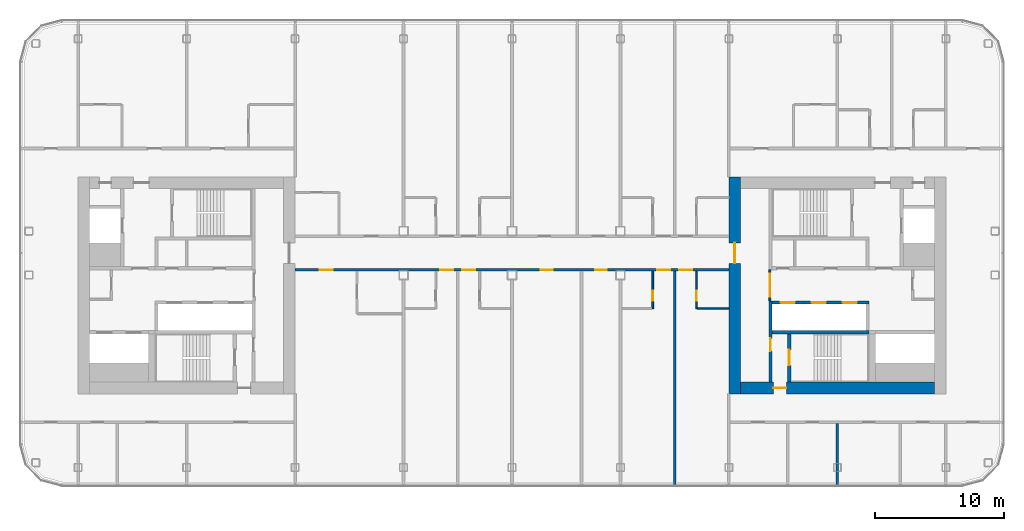
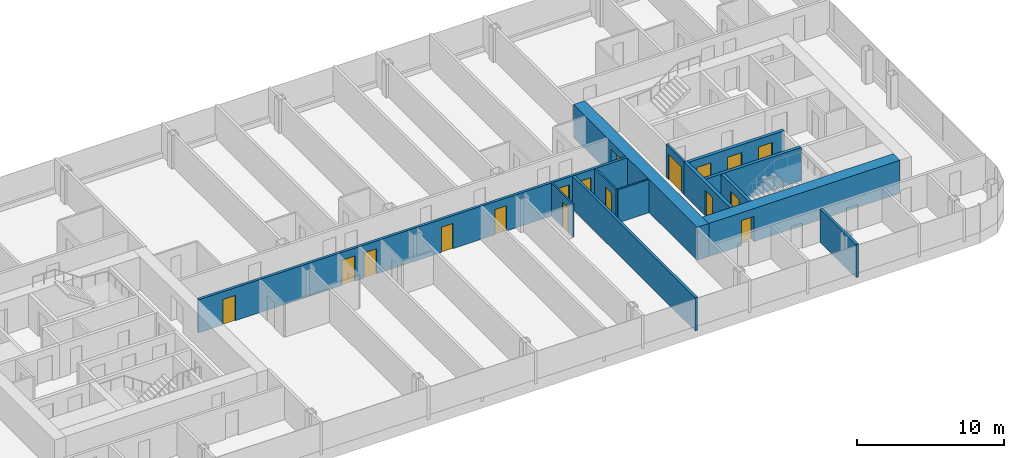
# One storey, part 15 of 26: 17 doors, 13 walls, 17 openings.
"""IFC4 building model written with IfcOpenShell, lengths in metres."""

import ifcopenshell
import ifcopenshell.guid

model = None  # the IFC model being written
_history = None  # IfcOwnerHistory: only IFC2X3 demands one
_inside = {}  # id of a spatial element -> (the spatial element, [elements in it])
_under = {}  # id of a project, library or spatial element -> (it, [spatial elements below it])
_declared = {}  # id of a project -> (the project, [libraries it declares])
_typed = {}  # id of a type object -> (the type object, [elements of that type])
_made_of = {}  # id of a material, layer set ... -> (it, [elements and type objects made of it])


def new_model(schema):
    """Start an empty IFC model of exactly this schema.

    Asked for "IFC4X3", IfcOpenShell would pick the latest addendum, in which some entities
    have other attributes; the version numbers below select the first issue.
    IFC2X3 requires an IfcOwnerHistory on every rooted entity: one is made here for all.
    """
    global model, _history
    if schema == "IFC4X3":
        model = ifcopenshell.file(schema_version=(4, 3, 0, 0))
    else:
        model = ifcopenshell.file(schema=schema)
    _inside.clear()
    _under.clear()
    _declared.clear()
    _typed.clear()
    _made_of.clear()
    _history = None
    if model.schema == "IFC2X3":
        org = make("IfcOrganization", Name="unknown")
        user = make(
            "IfcPersonAndOrganization",
            ThePerson=make("IfcPerson", FamilyName="unknown"),
            TheOrganization=org,
        )
        app = make(
            "IfcApplication",
            ApplicationDeveloper=org,
            Version="unknown",
            ApplicationFullName="unknown",
            ApplicationIdentifier="unknown",
        )
        _history = make(
            "IfcOwnerHistory",
            OwningUser=user,
            OwningApplication=app,
            ChangeAction="ADDED",
            CreationDate=0,
        )
    return model


def make(cls, **values):
    """One entity of the class cls with the attributes given. An attribute that is None is left unset."""
    return model.create_entity(
        cls, **{name: value for name, value in values.items() if value is not None}
    )


def rooted(cls, **values):
    """An entity with a GlobalId (a new one), such as an element, a storey or a relation."""
    return make(cls, GlobalId=ifcopenshell.guid.new(), OwnerHistory=_history, **values)


def si_unit(unit_type, name, prefix=None):
    """IfcSIUnit, for example si_unit("LENGTHUNIT", "METRE", prefix="MILLI")."""
    return make("IfcSIUnit", UnitType=unit_type, Prefix=prefix, Name=name)


def assignment(units):
    """IfcUnitAssignment: the units of a project."""
    return None if units is None else make("IfcUnitAssignment", Units=units)


def point(xyz):
    """IfcCartesianPoint."""
    return None if xyz is None else make("IfcCartesianPoint", Coordinates=xyz)


def direction(xyz):
    """IfcDirection."""
    return None if xyz is None else make("IfcDirection", DirectionRatios=xyz)


def frame(location, z_axis=None, x_axis=None):
    """IfcAxis2Placement3D, a coordinate frame: its origin and axes. An axis left out is left unset."""
    return make(
        "IfcAxis2Placement3D",
        Location=point(location),
        Axis=direction(z_axis),
        RefDirection=direction(x_axis),
    )


def frame_2d(location, x_axis=None):
    """IfcAxis2Placement2D, a coordinate frame in the plane: its origin and x axis."""
    return make(
        "IfcAxis2Placement2D", Location=point(location), RefDirection=direction(x_axis)
    )


def origin():
    """The frame at (0, 0, 0) with its axes left unset."""
    return frame((0.0, 0.0, 0.0))


def place(relative_to, where):
    """IfcLocalPlacement: puts the frame where relative to a parent placement (None: the world)."""
    return make(
        "IfcLocalPlacement", PlacementRelTo=relative_to, RelativePlacement=where
    )


def context(
    kind, dimensions, precision=None, world=None, true_north=None, identifier=None
):
    """IfcGeometricRepresentationContext, for example the 3D "Model" context."""
    return make(
        "IfcGeometricRepresentationContext",
        ContextIdentifier=identifier,
        ContextType=kind,
        CoordinateSpaceDimension=dimensions,
        Precision=precision,
        WorldCoordinateSystem=world,
        TrueNorth=true_north,
    )


def subcontext(parent, identifier, kind, view, scale=None):
    """IfcGeometricRepresentationSubContext, for example "Body" below "Model"."""
    return make(
        "IfcGeometricRepresentationSubContext",
        ContextIdentifier=identifier,
        ContextType=kind,
        ParentContext=parent,
        TargetScale=scale,
        TargetView=view,
    )


def project(units=None, contexts=None):
    """IfcProject with its units and contexts."""
    return rooted(
        "IfcProject",
        Name="project",
        RepresentationContexts=contexts,
        UnitsInContext=assignment(units),
    )


def spatial(cls, under=None, at=None, **own):
    """A site, building, storey or space (cls), placed at a placement, below another one or the project."""
    s = rooted(cls, ObjectPlacement=at, **own)
    if under is not None:
        _under.setdefault(under.id(), (under, []))[1].append(s)
    return s


def profile(cls, at=None, kind="AREA", **sizes):
    """A parametric profile (cls). Its sizes go by their IFC names, for example OverallWidth=200.0."""
    return make(cls, ProfileType=kind, Position=at, **sizes)


def rectangle(**sizes):
    """IfcRectangleProfileDef."""
    return profile("IfcRectangleProfileDef", **sizes)


def extrude(swept, where, along, depth):
    """IfcExtrudedAreaSolid: the profile swept, set in the frame where, extruded along a direction by depth."""
    return make(
        "IfcExtrudedAreaSolid",
        SweptArea=swept,
        Position=where,
        ExtrudedDirection=direction(along),
        Depth=depth,
    )


def shape(context_of_items, identifier, shape_type, items):
    """IfcShapeRepresentation: the items that make up one representation, for example the "Body"."""
    return make(
        "IfcShapeRepresentation",
        ContextOfItems=context_of_items,
        RepresentationIdentifier=identifier,
        RepresentationType=shape_type,
        Items=items,
    )


def material(Name=None, Category=None):
    """IfcMaterial."""
    return make("IfcMaterial", Name=Name, Category=Category)


def layer(
    of_material, thickness, ventilated=None, Name=None, Category=None, Priority=None
):
    """IfcMaterialLayer: one layer of a wall or slab, of a material (None: an air gap)."""
    return make(
        "IfcMaterialLayer",
        Material=of_material,
        LayerThickness=thickness,
        IsVentilated=ventilated,
        Name=Name,
        Category=Category,
        Priority=Priority,
    )


def layer_set(layers, Name=None):
    """IfcMaterialLayerSet."""
    return make("IfcMaterialLayerSet", MaterialLayers=layers, LayerSetName=Name)


def made_of(thing, what):
    """Note that an element or type object is made of a material, layer set ...; save() writes the relation."""
    if what is not None:
        _made_of.setdefault(what.id(), (what, []))[1].append(thing)
    return thing


def type_object(cls, material=None, **own):
    """A type object (cls), such as IfcWallType, which elements share."""
    return made_of(rooted(cls, **own), material)


def element(
    cls,
    number,
    at=None,
    inside=None,
    cuts=None,
    type_object=None,
    material=None,
    context=None,
    identifier="Body",
    shape_type=None,
    held_by="IfcProductDefinitionShape",
    body=None,
    shapes=None,
    **own,
):
    """One element of the class cls, such as IfcWall. Its Tag is "e" and its number.

    at: its placement. inside: the storey or other place that contains it. cuts: it is an
    opening in that element (IfcRelVoidsElement). A single representation is given by context,
    identifier, shape_type and body (its items); several are given by shapes. held_by: the class
    of the entity that holds the representations. save() writes the other relations.
    """
    e = rooted(cls, Tag="e%d" % number, ObjectPlacement=at, **own)
    if body is not None:
        shapes = [shape(context, identifier, shape_type, body)]
    if shapes is not None:
        e.Representation = make(held_by, Representations=shapes)
    if inside is not None:
        _inside.setdefault(inside.id(), (inside, []))[1].append(e)
    if cuts is not None:
        rooted(
            "IfcRelVoidsElement", RelatingBuildingElement=cuts, RelatedOpeningElement=e
        )
    if type_object is not None:
        _typed.setdefault(type_object.id(), (type_object, []))[1].append(e)
    return made_of(e, material)


def fill(opening, filler):
    """IfcRelFillsElement: the door or window that sits in an opening."""
    return rooted(
        "IfcRelFillsElement",
        RelatingOpeningElement=opening,
        RelatedBuildingElement=filler,
    )


def aggregate(whole, parts):
    """IfcRelAggregates: a whole, such as a stair, and the parts it consists of."""
    return rooted("IfcRelAggregates", RelatingObject=whole, RelatedObjects=parts)


def save(model, path):
    """Write the relations noted so far, then the file.

    IfcRelAggregates (storeys below a building ...), IfcRelContainedInSpatialStructure (elements
    in a storey), IfcRelDefinesByType, IfcRelAssociatesMaterial and IfcRelDeclares: one each for
    every whole, place, type object, material and project.
    """
    for whole, parts in _under.values():
        aggregate(whole, parts)
    for where, things in _inside.values():
        rooted(
            "IfcRelContainedInSpatialStructure",
            RelatedElements=things,
            RelatingStructure=where,
        )
    for kind, things in _typed.values():
        rooted("IfcRelDefinesByType", RelatedObjects=things, RelatingType=kind)
    for what, things in _made_of.values():
        rooted("IfcRelAssociatesMaterial", RelatedObjects=things, RelatingMaterial=what)
    for by, libraries in _declared.values():
        rooted("IfcRelDeclares", RelatingContext=by, RelatedDefinitions=libraries)
    model.write(path)


model = new_model("IFC4")

# Units and contexts
model_context = context("Model", 3, precision=1e-05, world=origin(), true_north=direction((0.0, 1.0)))
body_context = subcontext(model_context, "Body", "Model", "MODEL_VIEW")
ifc_project = project(units=[si_unit("LENGTHUNIT", "METRE"), si_unit("AREAUNIT", "SQUARE_METRE"), si_unit("VOLUMEUNIT", "CUBIC_METRE"), si_unit("PLANEANGLEUNIT", "RADIAN"), si_unit("MASSUNIT", "GRAM", prefix="KILO")], contexts=[model_context])

# Site, building, storey
site_placement = place(None, origin())
site = spatial("IfcSite", under=ifc_project, at=site_placement, CompositionType="ELEMENT")
building_placement = place(site_placement, origin())
building = spatial("IfcBuilding", under=site, at=building_placement, Name="Hakoniwa Tower and Hamabe Station Hall", CompositionType="ELEMENT")
storey_placement = place(building_placement, frame((0.0, 0.0, 209.0)))
storey = spatial("IfcBuildingStorey", under=building, at=storey_placement, Name="L59", CompositionType="ELEMENT", Elevation=209.0)

# Wall
ifc_material_1 = material(Name="Gypsum board partition", Category="gypsum")
ifc_layer_1 = layer(ifc_material_1, 0.125)
ifc_layer_set_1 = layer_set([ifc_layer_1], Name="Bathroom Partition 125")
wall_type_1 = type_object("IfcWallType", Name="Bathroom Partition 125", PredefinedType="PARTITIONING", material=ifc_layer_set_1)
wall_1_placement = place(storey_placement, frame((14.362548828125, -1.800048828125, 0.0), z_axis=(0.0, 0.0, 1.0), x_axis=(1.0, 0.0, 0.0)))
element("IfcWall", 1, at=wall_1_placement, inside=storey, type_object=wall_type_1, Name="GW-L59-007", PredefinedType="PARTITIONING", context=body_context, shape_type="SweptSolid", body=[
    extrude(rectangle(XDim=2.447509765625, YDim=0.125, at=frame_2d((1.2236328125, 0.0))), origin(), (0.0, 0.0, 1.0), 2.75),
])

# Wall, opening, door
wall_2_placement = place(storey_placement, frame((10.89990234375, -1.800048828125, 0.0), z_axis=(0.0, 0.0, 1.0), x_axis=(0.0, 1.0, 0.0)))
wall_2 = element("IfcWall", 2, at=wall_2_placement, inside=storey, type_object=wall_type_1, Name="GW-L59-047", PredefinedType="PARTITIONING", context=body_context, shape_type="SweptSolid", body=[
    extrude(rectangle(XDim=2.900146484375, YDim=0.125, at=frame_2d((1.4501953125, 0.0))), origin(), (0.0, 0.0, 1.0), 2.75),
])
opening_1_placement = place(wall_2_placement, frame((0.60009765625, 0.0, 0.0)))
opening_1 = element("IfcOpeningElement", 3, at=opening_1_placement, cuts=wall_2, Name="Opening GD-G4C1-40", PredefinedType="OPENING", context=body_context, shape_type="SweptSolid", body=[
    extrude(rectangle(XDim=0.800048828125, YDim=2.10009765625, at=frame_2d((0.39990234375, 1.050048828125))), frame((0.0, 0.072509765625, 0.0), z_axis=(0.0, -1.0, 0.0), x_axis=(1.0, 0.0, 0.0)), (0.0, 0.0, 1.0), 0.14501953125),
])
ifc_material_2 = material(Name="Timber door leaf", Category="wood")
door_type_1 = type_object("IfcDoorType", Name="Bathroom Door 800", OperationType="SINGLE_SWING_LEFT", PredefinedType="DOOR", material=ifc_material_2)
door_1_placement = place(opening_1_placement, origin())
door_1 = element("IfcDoor", 4, at=door_1_placement, inside=storey, type_object=door_type_1, Name="Door GD-G4C1-40", OperationType="SINGLE_SWING_RIGHT", OverallHeight=2.10009765625, OverallWidth=0.800048828125, PredefinedType="DOOR", context=body_context, shape_type="SweptSolid", body=[
    extrude(rectangle(XDim=0.800048828125, YDim=2.10009765625, at=frame_2d((0.39990234375, 1.050048828125))), frame((0.0, 0.02490234375, 0.0), z_axis=(0.0, -1.0, 0.0), x_axis=(1.0, 0.0, 0.0)), (0.0, 0.0, 1.0), 0.050048828125),
])
fill(opening_1, door_1)

wall_3_placement = place(storey_placement, frame((14.300048828125, -1.800048828125, 0.0), z_axis=(0.0, 0.0, 1.0), x_axis=(0.0, 1.0, 0.0)))
wall_3 = element("IfcWall", 5, at=wall_3_placement, inside=storey, type_object=wall_type_1, Name="GW-L59-051", PredefinedType="PARTITIONING", context=body_context, shape_type="SweptSolid", body=[
    extrude(rectangle(XDim=2.900146484375, YDim=0.125, at=frame_2d((1.4501953125, 0.0))), origin(), (0.0, 0.0, 1.0), 2.75),
])
opening_2_placement = place(wall_3_placement, frame((0.60009765625, 0.0, 0.0)))
opening_2 = element("IfcOpeningElement", 6, at=opening_2_placement, cuts=wall_3, Name="Opening GD-G4C1-42", PredefinedType="OPENING", context=body_context, shape_type="SweptSolid", body=[
    extrude(rectangle(XDim=0.800048828125, YDim=2.10009765625, at=frame_2d((0.39990234375, 1.050048828125))), frame((0.0, 0.072509765625, 0.0), z_axis=(0.0, -1.0, 0.0), x_axis=(1.0, 0.0, 0.0)), (0.0, 0.0, 1.0), 0.14501953125),
])
door_2_placement = place(opening_2_placement, origin())
door_2 = element("IfcDoor", 7, at=door_2_placement, inside=storey, type_object=door_type_1, Name="Door GD-G4C1-42", OperationType="SINGLE_SWING_LEFT", OverallHeight=2.10009765625, OverallWidth=0.800048828125, PredefinedType="DOOR", context=body_context, shape_type="SweptSolid", body=[
    extrude(rectangle(XDim=0.800048828125, YDim=2.10009765625, at=frame_2d((0.39990234375, 1.050048828125))), frame((0.0, 0.02490234375, 0.0), z_axis=(0.0, -1.0, 0.0), x_axis=(1.0, 0.0, 0.0)), (0.0, 0.0, 1.0), 0.050048828125),
])
fill(opening_2, door_2)

ifc_material_3 = material(Name="Gypsum board partition")
ifc_layer_2 = layer(ifc_material_3, 0.14990234375)
ifc_layer_set_2 = layer_set([ifc_layer_2], Name="CORE PARTITION 150 EI 60")
wall_type_2 = type_object("IfcWallType", Name="CORE PARTITION 150 EI 60", PredefinedType="PARTITIONING", material=ifc_layer_set_2)
wall_4_placement = place(storey_placement, frame((19.97509765625, -1.199951171875, 0.0), z_axis=(0.0, 0.0, 1.0), x_axis=(0.0, 1.0, 0.0)))
wall_4 = element("IfcWall", 8, at=wall_4_placement, inside=storey, type_object=wall_type_2, Name="Core partition PL0 east", PredefinedType="PARTITIONING", context=body_context, shape_type="SweptSolid", body=[
    extrude(rectangle(XDim=2.39990234375, YDim=0.14990234375, at=frame_2d((1.199951171875, 0.0))), origin(), (0.0, 0.0, 1.0), 2.75),
])
opening_3_placement = place(wall_4_placement, frame((0.300048828125, 0.0, 0.0)))
opening_3 = element("IfcOpeningElement", 9, at=opening_3_placement, cuts=wall_4, Name="Opening CD-E-LP0-18", PredefinedType="OPENING", context=body_context, shape_type="SweptSolid", body=[
    extrude(rectangle(XDim=1.800048828125, YDim=2.10009765625, at=frame_2d((0.89990234375, 1.050048828125))), frame((0.0, 0.0849609375, 0.0), z_axis=(0.0, -1.0, 0.0), x_axis=(1.0, 0.0, 0.0)), (0.0, 0.0, 1.0), 0.169921875),
])
ifc_material_4 = material(Name="Steel fire door", Category="steel")
door_type_2 = type_object("IfcDoorType", Name="CORE DOOR 1800 FD60", OperationType="DOUBLE_DOOR_SINGLE_SWING", PredefinedType="DOOR", material=ifc_material_4)
door_3_placement = place(opening_3_placement, origin())
door_3 = element("IfcDoor", 10, at=door_3_placement, inside=storey, type_object=door_type_2, Name="Lift lobby partition door", OperationType="DOUBLE_DOOR_SINGLE_SWING", OverallHeight=2.10009765625, OverallWidth=1.800048828125, PredefinedType="DOOR", context=body_context, shape_type="SweptSolid", body=[
    extrude(rectangle(XDim=1.800048828125, YDim=2.10009765625, at=frame_2d((0.89990234375, 1.050048828125))), frame((0.0, 0.02490234375, 0.0), z_axis=(0.0, -1.0, 0.0), x_axis=(1.0, 0.0, 0.0)), (0.0, 0.0, 1.0), 0.050048828125),
])
fill(opening_3, door_3)

ifc_material_5 = material(Name="Concrete C60", Category="concrete")
ifc_layer_3 = layer(ifc_material_5, 0.89990234375)
ifc_layer_set_3 = layer_set([ifc_layer_3], Name="CORE WALL 900 C60")
wall_type_3 = type_object("IfcWallType", Name="CORE WALL 900 C60", PredefinedType="SHEAR", material=ifc_layer_set_3)
wall_5_placement = place(storey_placement, frame((17.25, -8.39990234375, 0.0), z_axis=(0.0, 0.0, 1.0), x_axis=(0.0, 1.0, 0.0)))
wall_5 = element("IfcWall", 11, at=wall_5_placement, inside=storey, type_object=wall_type_3, Name="Core wall INNER east", PredefinedType="SHEAR", context=body_context, shape_type="SweptSolid", body=[
    extrude(rectangle(XDim=16.7998046875, YDim=0.89990234375, at=frame_2d((8.39990234375, 0.0))), origin(), (0.0, 0.0, 1.0), 2.75),
])
opening_4_placement = place(wall_5_placement, frame((10.10009765625, 0.0, 0.0)))
opening_4 = element("IfcOpeningElement", 12, at=opening_4_placement, cuts=wall_5, Name="Opening CD-E-IN1-16", PredefinedType="OPENING", context=body_context, shape_type="SweptSolid", body=[
    extrude(rectangle(XDim=1.60009765625, YDim=2.10009765625, at=frame_2d((0.800048828125, 1.050048828125))), frame((0.0, 0.4599609375, 0.0), z_axis=(0.0, -1.0, 0.0), x_axis=(1.0, 0.0, 0.0)), (0.0, 0.0, 1.0), 0.919921875),
])
ifc_material_6 = material(Name="Steel fire door", Category="steel")
door_type_3 = type_object("IfcDoorType", Name="CORE DOOR 1600 FD60", OperationType="DOUBLE_DOOR_SINGLE_SWING", PredefinedType="DOOR", material=ifc_material_6)
door_4_placement = place(opening_4_placement, origin())
door_4 = element("IfcDoor", 13, at=door_4_placement, inside=storey, type_object=door_type_3, Name="Lift lobby door", OperationType="DOUBLE_DOOR_SINGLE_SWING", OverallHeight=2.10009765625, OverallWidth=1.60009765625, PredefinedType="DOOR", context=body_context, shape_type="SweptSolid", body=[
    extrude(rectangle(XDim=1.60009765625, YDim=2.10009765625, at=frame_2d((0.800048828125, 1.050048828125))), frame((0.0, 0.02490234375, 0.0), z_axis=(0.0, -1.0, 0.0), x_axis=(1.0, 0.0, 0.0)), (0.0, 0.0, 1.0), 0.050048828125),
])
fill(opening_4, door_4)

wall_6_placement = place(storey_placement, frame((17.699951171875, -7.949951171875, 0.0), z_axis=(0.0, 0.0, 1.0), x_axis=(1.0, 0.0, 0.0)))
wall_6 = element("IfcWall", 14, at=wall_6_placement, inside=storey, type_object=wall_type_3, Name="Core wall SOUTH east", PredefinedType="SHEAR", context=body_context, shape_type="SweptSolid", body=[
    extrude(rectangle(XDim=15.0, YDim=0.89990234375, at=frame_2d((7.5, 0.0))), origin(), (0.0, 0.0, 1.0), 2.75),
])
opening_5_placement = place(wall_6_placement, frame((2.550048828125, 0.0, 0.0)))
opening_5 = element("IfcOpeningElement", 15, at=opening_5_placement, cuts=wall_6, Name="Opening CD-E-FS3-10", PredefinedType="OPENING", context=body_context, shape_type="SweptSolid", body=[
    extrude(rectangle(XDim=1.0, YDim=2.10009765625, at=frame_2d((0.5, 1.050048828125))), frame((0.0, 0.4599609375, 0.0), z_axis=(0.0, -1.0, 0.0), x_axis=(1.0, 0.0, 0.0)), (0.0, 0.0, 1.0), 0.919921875),
])
ifc_material_7 = material(Name="Steel fire door", Category="steel")
door_type_4 = type_object("IfcDoorType", Name="CORE DOOR 1000 FD60", OperationType="NOTDEFINED", PredefinedType="DOOR", material=ifc_material_7)
door_5_placement = place(opening_5_placement, origin())
door_5 = element("IfcDoor", 16, at=door_5_placement, inside=storey, type_object=door_type_4, Name="Stair vestibule door", OperationType="SINGLE_SWING_RIGHT", OverallHeight=2.10009765625, OverallWidth=1.0, PredefinedType="DOOR", context=body_context, shape_type="SweptSolid", body=[
    extrude(rectangle(XDim=1.0, YDim=2.10009765625, at=frame_2d((0.5, 1.050048828125))), frame((0.0, 0.02490234375, 0.0), z_axis=(0.0, -1.0, 0.0), x_axis=(1.0, 0.0, 0.0)), (0.0, 0.0, 1.0), 0.050048828125),
])
fill(opening_5, door_5)

ifc_material_8 = material(Name="Concrete C60", Category="concrete")
ifc_layer_4 = layer(ifc_material_8, 0.25)
ifc_layer_set_4 = layer_set([ifc_layer_4], Name="CORE WEB WALL 250 C60")
wall_type_4 = type_object("IfcWallType", Name="CORE WEB WALL 250 C60", PredefinedType="SHEAR", material=ifc_layer_set_4)
wall_7_placement = place(storey_placement, frame((20.02490234375, -7.5, 0.0), z_axis=(0.0, 0.0, 1.0), x_axis=(0.0, 1.0, 0.0)))
wall_7 = element("IfcWall", 17, at=wall_7_placement, inside=storey, type_object=wall_type_4, Name="Core wall W1S east", PredefinedType="SHEAR", context=body_context, shape_type="SweptSolid", body=[
    extrude(rectangle(XDim=6.300048828125, YDim=0.25, at=frame_2d((3.14990234375, 0.0))), origin(), (0.0, 0.0, 1.0), 2.75),
])
opening_6_placement = place(wall_7_placement, frame((2.39990234375, 0.0, 0.0)))
opening_6 = element("IfcOpeningElement", 18, at=opening_6_placement, cuts=wall_7, Name="Opening CD-E-VS-10", PredefinedType="OPENING", context=body_context, shape_type="SweptSolid", body=[
    extrude(rectangle(XDim=1.0, YDim=2.10009765625, at=frame_2d((0.5, 1.050048828125))), frame((0.0, 0.135009765625, 0.0), z_axis=(0.0, -1.0, 0.0), x_axis=(1.0, 0.0, 0.0)), (0.0, 0.0, 1.0), 0.27001953125),
])
door_6_placement = place(opening_6_placement, origin())
door_6 = element("IfcDoor", 19, at=door_6_placement, inside=storey, type_object=door_type_4, Name="Stair vestibule door", OperationType="SINGLE_SWING_RIGHT", OverallHeight=2.10009765625, OverallWidth=1.0, PredefinedType="DOOR", context=body_context, shape_type="SweptSolid", body=[
    extrude(rectangle(XDim=1.0, YDim=2.10009765625, at=frame_2d((0.5, 1.050048828125))), frame((0.0, 0.02490234375, 0.0), z_axis=(0.0, -1.0, 0.0), x_axis=(1.0, 0.0, 0.0)), (0.0, 0.0, 1.0), 0.050048828125),
])
fill(opening_6, door_6)

# Wall, openings, doors
wall_8_placement = place(storey_placement, frame((20.14990234375, -1.324951171875, 0.0), z_axis=(0.0, 0.0, 1.0), x_axis=(1.0, 0.0, 0.0)))
wall_8 = element("IfcWall", 20, at=wall_8_placement, inside=storey, type_object=wall_type_4, Name="Core wall SF east", PredefinedType="SHEAR", context=body_context, shape_type="SweptSolid", body=[
    extrude(rectangle(XDim=7.5, YDim=0.25, at=frame_2d((3.75, 0.0))), origin(), (0.0, 0.0, 1.0), 2.75),
])
opening_7_placement = place(wall_8_placement, frame((0.64990234375, 0.0, 0.0)))
opening_7 = element("IfcOpeningElement", 21, at=opening_7_placement, cuts=wall_8, Name="Opening LD-HR4", PredefinedType="OPENING", context=body_context, shape_type="SweptSolid", body=[
    extrude(rectangle(XDim=1.10009765625, YDim=2.10009765625, at=frame_2d((0.550048828125, 1.050048828125))), frame((0.0, 0.135009765625, 0.0), z_axis=(0.0, -1.0, 0.0), x_axis=(1.0, 0.0, 0.0)), (0.0, 0.0, 1.0), 0.27001953125),
])
opening_8_placement = place(wall_8_placement, frame((3.050048828125, 0.0, 0.0)))
opening_8 = element("IfcOpeningElement", 22, at=opening_8_placement, cuts=wall_8, Name="Opening LD-HR5", PredefinedType="OPENING", context=body_context, shape_type="SweptSolid", body=[
    extrude(rectangle(XDim=1.10009765625, YDim=2.10009765625, at=frame_2d((0.550048828125, 1.050048828125))), frame((0.0, 0.135009765625, 0.0), z_axis=(0.0, -1.0, 0.0), x_axis=(1.0, 0.0, 0.0)), (0.0, 0.0, 1.0), 0.27001953125),
])
opening_9_placement = place(wall_8_placement, frame((5.449951171875, 0.0, 0.0)))
opening_9 = element("IfcOpeningElement", 23, at=opening_9_placement, cuts=wall_8, Name="Opening LD-HR6", PredefinedType="OPENING", context=body_context, shape_type="SweptSolid", body=[
    extrude(rectangle(XDim=1.10009765625, YDim=2.10009765625, at=frame_2d((0.550048828125, 1.050048828125))), frame((0.0, 0.135009765625, 0.0), z_axis=(0.0, -1.0, 0.0), x_axis=(1.0, 0.0, 0.0)), (0.0, 0.0, 1.0), 0.27001953125),
])
ifc_material_9 = material(Name="Stainless steel SUS304", Category="steel")
door_type_5 = type_object("IfcDoorType", Name="LIFT LANDING DOOR 1100 FD60", OperationType="DOUBLE_DOOR_SLIDING", PredefinedType="DOOR", material=ifc_material_9)
door_7_placement = place(opening_7_placement, origin())
door_7 = element("IfcDoor", 24, at=door_7_placement, inside=storey, type_object=door_type_5, Name="Lift landing door HR4 L59", OperationType="DOUBLE_DOOR_SLIDING", OverallHeight=2.10009765625, OverallWidth=1.10009765625, PredefinedType="DOOR", context=body_context, shape_type="SweptSolid", body=[
    extrude(rectangle(XDim=1.10009765625, YDim=2.10009765625, at=frame_2d((0.550048828125, 1.050048828125))), frame((0.0, 0.02490234375, 0.0), z_axis=(0.0, -1.0, 0.0), x_axis=(1.0, 0.0, 0.0)), (0.0, 0.0, 1.0), 0.050048828125),
])
fill(opening_7, door_7)
door_8_placement = place(opening_8_placement, origin())
door_8 = element("IfcDoor", 25, at=door_8_placement, inside=storey, type_object=door_type_5, Name="Lift landing door HR5 L59", OperationType="DOUBLE_DOOR_SLIDING", OverallHeight=2.10009765625, OverallWidth=1.10009765625, PredefinedType="DOOR", context=body_context, shape_type="SweptSolid", body=[
    extrude(rectangle(XDim=1.10009765625, YDim=2.10009765625, at=frame_2d((0.550048828125, 1.050048828125))), frame((0.0, 0.02490234375, 0.0), z_axis=(0.0, -1.0, 0.0), x_axis=(1.0, 0.0, 0.0)), (0.0, 0.0, 1.0), 0.050048828125),
])
fill(opening_8, door_8)
door_9_placement = place(opening_9_placement, origin())
door_9 = element("IfcDoor", 26, at=door_9_placement, inside=storey, type_object=door_type_5, Name="Lift landing door HR6 L59", OperationType="DOUBLE_DOOR_SLIDING", OverallHeight=2.10009765625, OverallWidth=1.10009765625, PredefinedType="DOOR", context=body_context, shape_type="SweptSolid", body=[
    extrude(rectangle(XDim=1.10009765625, YDim=2.10009765625, at=frame_2d((0.550048828125, 1.050048828125))), frame((0.0, 0.02490234375, 0.0), z_axis=(0.0, -1.0, 0.0), x_axis=(1.0, 0.0, 0.0)), (0.0, 0.0, 1.0), 0.050048828125),
])
fill(opening_9, door_9)

# Wall
wall_9_placement = place(storey_placement, frame((20.14990234375, -3.625, 0.0), z_axis=(0.0, 0.0, 1.0), x_axis=(1.0, 0.0, 0.0)))
element("IfcWall", 27, at=wall_9_placement, inside=storey, type_object=wall_type_4, Name="Core wall SR east", PredefinedType="SHEAR", context=body_context, shape_type="SweptSolid", body=[
    extrude(rectangle(XDim=7.5, YDim=0.25, at=frame_2d((3.75, 0.0))), origin(), (0.0, 0.0, 1.0), 2.75),
])

# Wall, opening, door
wall_10_placement = place(storey_placement, frame((21.47509765625, -7.5, 0.0), z_axis=(0.0, 0.0, 1.0), x_axis=(0.0, 1.0, 0.0)))
wall_10 = element("IfcWall", 28, at=wall_10_placement, inside=storey, type_object=wall_type_4, Name="Core wall VE east", PredefinedType="SHEAR", context=body_context, shape_type="SweptSolid", body=[
    extrude(rectangle(XDim=3.75, YDim=0.25, at=frame_2d((1.875, 0.0))), origin(), (0.0, 0.0, 1.0), 2.75),
])
opening_10_placement = place(wall_10_placement, frame((1.300048828125, 0.0, 0.0)))
opening_10 = element("IfcOpeningElement", 29, at=opening_10_placement, cuts=wall_10, Name="Opening CD-E-SS-12", PredefinedType="OPENING", context=body_context, shape_type="SweptSolid", body=[
    extrude(rectangle(XDim=1.199951171875, YDim=2.10009765625, at=frame_2d((0.60009765625, 1.050048828125))), frame((0.0, 0.135009765625, 0.0), z_axis=(0.0, -1.0, 0.0), x_axis=(1.0, 0.0, 0.0)), (0.0, 0.0, 1.0), 0.27001953125),
])
ifc_material_10 = material(Name="Steel fire door", Category="steel")
door_type_6 = type_object("IfcDoorType", Name="CORE DOOR 1200 FD60", OperationType="DOUBLE_DOOR_SINGLE_SWING", PredefinedType="DOOR", material=ifc_material_10)
door_10_placement = place(opening_10_placement, origin())
door_10 = element("IfcDoor", 30, at=door_10_placement, inside=storey, type_object=door_type_6, Name="Escape stair door", OperationType="DOUBLE_DOOR_SINGLE_SWING", OverallHeight=2.10009765625, OverallWidth=1.199951171875, PredefinedType="DOOR", context=body_context, shape_type="SweptSolid", body=[
    extrude(rectangle(XDim=1.199951171875, YDim=2.10009765625, at=frame_2d((0.60009765625, 1.050048828125))), frame((0.0, 0.02490234375, 0.0), z_axis=(0.0, -1.0, 0.0), x_axis=(1.0, 0.0, 0.0)), (0.0, 0.0, 1.0), 0.050048828125),
])
fill(opening_10, door_10)

# Wall, openings, doors
ifc_material_11 = material(Name="Fire-rated gypsum board partition", Category="gypsum")
ifc_layer_5 = layer(ifc_material_11, 0.199951171875)
ifc_layer_set_5 = layer_set([ifc_layer_5], Name="Corridor Wall 200")
wall_type_5 = type_object("IfcWallType", Name="Corridor Wall 200", PredefinedType="PARTITIONING", material=ifc_layer_set_5)
wall_11_placement = place(storey_placement, frame((-16.800048828125, 1.199951171875, 0.0), z_axis=(0.0, 0.0, 1.0), x_axis=(1.0, 0.0, 0.0)))
wall_11 = element("IfcWall", 31, at=wall_11_placement, inside=storey, type_object=wall_type_5, Name="GW-L59-008", PredefinedType="PARTITIONING", context=body_context, shape_type="SweptSolid", body=[
    extrude(rectangle(XDim=33.60009765625, YDim=0.199951171875, at=frame_2d((16.800048828125, 0.0))), origin(), (0.0, 0.0, 1.0), 2.75),
])
opening_11_placement = place(wall_11_placement, frame((1.89990234375, 0.0, 0.0)))
opening_11 = element("IfcOpeningElement", 32, at=opening_11_placement, cuts=wall_11, Name="Opening GD-G4C1-10", PredefinedType="OPENING", context=body_context, shape_type="SweptSolid", body=[
    extrude(rectangle(XDim=1.0, YDim=2.10009765625, at=frame_2d((0.5, 1.050048828125))), frame((0.0, 0.10986328125, 0.0), z_axis=(0.0, -1.0, 0.0), x_axis=(1.0, 0.0, 0.0)), (0.0, 0.0, 1.0), 0.219970703125),
])
opening_12_placement = place(wall_11_placement, frame((11.25, 0.0, 0.0)))
opening_12 = element("IfcOpeningElement", 33, at=opening_12_placement, cuts=wall_11, Name="Opening GD-G4C1-11", PredefinedType="OPENING", context=body_context, shape_type="SweptSolid", body=[
    extrude(rectangle(XDim=1.0, YDim=2.10009765625, at=frame_2d((0.5, 1.050048828125))), frame((0.0, 0.10986328125, 0.0), z_axis=(0.0, -1.0, 0.0), x_axis=(1.0, 0.0, 0.0)), (0.0, 0.0, 1.0), 0.219970703125),
])
opening_13_placement = place(wall_11_placement, frame((12.949951171875, 0.0, 0.0)))
opening_13 = element("IfcOpeningElement", 34, at=opening_13_placement, cuts=wall_11, Name="Opening GD-G4C1-12", PredefinedType="OPENING", context=body_context, shape_type="SweptSolid", body=[
    extrude(rectangle(XDim=1.0, YDim=2.10009765625, at=frame_2d((0.5, 1.050048828125))), frame((0.0, 0.10986328125, 0.0), z_axis=(0.0, -1.0, 0.0), x_axis=(1.0, 0.0, 0.0)), (0.0, 0.0, 1.0), 0.219970703125),
])
opening_14_placement = place(wall_11_placement, frame((19.0400390625, 0.0, 0.0)))
opening_14 = element("IfcOpeningElement", 35, at=opening_14_placement, cuts=wall_11, Name="Opening GD-G4C1-13", PredefinedType="OPENING", context=body_context, shape_type="SweptSolid", body=[
    extrude(rectangle(XDim=0.89990234375, YDim=2.10009765625, at=frame_2d((0.449951171875, 1.050048828125))), frame((0.0, 0.10986328125, 0.0), z_axis=(0.0, -1.0, 0.0), x_axis=(1.0, 0.0, 0.0)), (0.0, 0.0, 1.0), 0.219970703125),
])
opening_15_placement = place(wall_11_placement, frame((23.239990234375, 0.0, 0.0)))
opening_15 = element("IfcOpeningElement", 36, at=opening_15_placement, cuts=wall_11, Name="Opening GD-G4C1-14", PredefinedType="OPENING", context=body_context, shape_type="SweptSolid", body=[
    extrude(rectangle(XDim=0.89990234375, YDim=2.10009765625, at=frame_2d((0.449951171875, 1.050048828125))), frame((0.0, 0.10986328125, 0.0), z_axis=(0.0, -1.0, 0.0), x_axis=(1.0, 0.0, 0.0)), (0.0, 0.0, 1.0), 0.219970703125),
])
opening_16_placement = place(wall_11_placement, frame((28.050048828125, 0.0, 0.0)))
opening_16 = element("IfcOpeningElement", 37, at=opening_16_placement, cuts=wall_11, Name="Opening GD-G4C1-15", PredefinedType="OPENING", context=body_context, shape_type="SweptSolid", body=[
    extrude(rectangle(XDim=1.0, YDim=2.10009765625, at=frame_2d((0.5, 1.050048828125))), frame((0.0, 0.10986328125, 0.0), z_axis=(0.0, -1.0, 0.0), x_axis=(1.0, 0.0, 0.0)), (0.0, 0.0, 1.0), 0.219970703125),
])
opening_17_placement = place(wall_11_placement, frame((29.75, 0.0, 0.0)))
opening_17 = element("IfcOpeningElement", 38, at=opening_17_placement, cuts=wall_11, Name="Opening GD-G4C1-16", PredefinedType="OPENING", context=body_context, shape_type="SweptSolid", body=[
    extrude(rectangle(XDim=1.0, YDim=2.10009765625, at=frame_2d((0.5, 1.050048828125))), frame((0.0, 0.10986328125, 0.0), z_axis=(0.0, -1.0, 0.0), x_axis=(1.0, 0.0, 0.0)), (0.0, 0.0, 1.0), 0.219970703125),
])
ifc_material_12 = material(Name="Timber door leaf", Category="wood")
door_type_7 = type_object("IfcDoorType", Name="Accessible Guest Entrance Door 1000", OperationType="SINGLE_SWING_LEFT", PredefinedType="DOOR", material=ifc_material_12)
door_11_placement = place(opening_11_placement, origin())
door_11 = element("IfcDoor", 39, at=door_11_placement, inside=storey, type_object=door_type_7, Name="Door GD-G4C1-10", OperationType="SINGLE_SWING_LEFT", OverallHeight=2.10009765625, OverallWidth=1.0, PredefinedType="DOOR", context=body_context, shape_type="SweptSolid", body=[
    extrude(rectangle(XDim=1.0, YDim=2.10009765625, at=frame_2d((0.5, 1.050048828125))), frame((0.0, 0.02490234375, 0.0), z_axis=(0.0, -1.0, 0.0), x_axis=(1.0, 0.0, 0.0)), (0.0, 0.0, 1.0), 0.050048828125),
])
fill(opening_11, door_11)
ifc_material_13 = material(Name="Timber door leaf", Category="wood")
door_type_8 = type_object("IfcDoorType", Name="Guest Entrance Door 1000", OperationType="SINGLE_SWING_LEFT", PredefinedType="DOOR", material=ifc_material_13)
door_12_placement = place(opening_12_placement, origin())
door_12 = element("IfcDoor", 40, at=door_12_placement, inside=storey, type_object=door_type_8, Name="Door GD-G4C1-11", OperationType="SINGLE_SWING_RIGHT", OverallHeight=2.10009765625, OverallWidth=1.0, PredefinedType="DOOR", context=body_context, shape_type="SweptSolid", body=[
    extrude(rectangle(XDim=1.0, YDim=2.10009765625, at=frame_2d((0.5, 1.050048828125))), frame((0.0, 0.02490234375, 0.0), z_axis=(0.0, -1.0, 0.0), x_axis=(1.0, 0.0, 0.0)), (0.0, 0.0, 1.0), 0.050048828125),
])
fill(opening_12, door_12)
door_13_placement = place(opening_13_placement, origin())
door_13 = element("IfcDoor", 41, at=door_13_placement, inside=storey, type_object=door_type_8, Name="Door GD-G4C1-12", OperationType="SINGLE_SWING_LEFT", OverallHeight=2.10009765625, OverallWidth=1.0, PredefinedType="DOOR", context=body_context, shape_type="SweptSolid", body=[
    extrude(rectangle(XDim=1.0, YDim=2.10009765625, at=frame_2d((0.5, 1.050048828125))), frame((0.0, 0.02490234375, 0.0), z_axis=(0.0, -1.0, 0.0), x_axis=(1.0, 0.0, 0.0)), (0.0, 0.0, 1.0), 0.050048828125),
])
fill(opening_13, door_13)
door_14_placement = place(opening_16_placement, origin())
door_14 = element("IfcDoor", 42, at=door_14_placement, inside=storey, type_object=door_type_8, Name="Door GD-G4C1-15", OperationType="SINGLE_SWING_RIGHT", OverallHeight=2.10009765625, OverallWidth=1.0, PredefinedType="DOOR", context=body_context, shape_type="SweptSolid", body=[
    extrude(rectangle(XDim=1.0, YDim=2.10009765625, at=frame_2d((0.5, 1.050048828125))), frame((0.0, 0.02490234375, 0.0), z_axis=(0.0, -1.0, 0.0), x_axis=(1.0, 0.0, 0.0)), (0.0, 0.0, 1.0), 0.050048828125),
])
fill(opening_16, door_14)
door_15_placement = place(opening_17_placement, origin())
door_15 = element("IfcDoor", 43, at=door_15_placement, inside=storey, type_object=door_type_8, Name="Door GD-G4C1-16", OperationType="SINGLE_SWING_LEFT", OverallHeight=2.10009765625, OverallWidth=1.0, PredefinedType="DOOR", context=body_context, shape_type="SweptSolid", body=[
    extrude(rectangle(XDim=1.0, YDim=2.10009765625, at=frame_2d((0.5, 1.050048828125))), frame((0.0, 0.02490234375, 0.0), z_axis=(0.0, -1.0, 0.0), x_axis=(1.0, 0.0, 0.0)), (0.0, 0.0, 1.0), 0.050048828125),
])
fill(opening_17, door_15)
ifc_material_14 = material(Name="Timber door leaf", Category="wood")
door_type_9 = type_object("IfcDoorType", Name="Service Door 900", OperationType="SINGLE_SWING_LEFT", PredefinedType="DOOR", material=ifc_material_14)
door_16_placement = place(opening_14_placement, origin())
door_16 = element("IfcDoor", 44, at=door_16_placement, inside=storey, type_object=door_type_9, Name="Door GD-G4C1-13", OperationType="SINGLE_SWING_RIGHT", OverallHeight=2.10009765625, OverallWidth=0.89990234375, PredefinedType="DOOR", context=body_context, shape_type="SweptSolid", body=[
    extrude(rectangle(XDim=0.89990234375, YDim=2.10009765625, at=frame_2d((0.449951171875, 1.050048828125))), frame((0.0, 0.02490234375, 0.0), z_axis=(0.0, -1.0, 0.0), x_axis=(1.0, 0.0, 0.0)), (0.0, 0.0, 1.0), 0.050048828125),
])
fill(opening_14, door_16)
door_17_placement = place(opening_15_placement, origin())
door_17 = element("IfcDoor", 45, at=door_17_placement, inside=storey, type_object=door_type_9, Name="Door GD-G4C1-14", OperationType="SINGLE_SWING_LEFT", OverallHeight=2.10009765625, OverallWidth=0.89990234375, PredefinedType="DOOR", context=body_context, shape_type="SweptSolid", body=[
    extrude(rectangle(XDim=0.89990234375, YDim=2.10009765625, at=frame_2d((0.449951171875, 1.050048828125))), frame((0.0, 0.02490234375, 0.0), z_axis=(0.0, -1.0, 0.0), x_axis=(1.0, 0.0, 0.0)), (0.0, 0.0, 1.0), 0.050048828125),
])
fill(opening_15, door_17)

# Walls
ifc_material_15 = material(Name="Fire-rated gypsum board partition", Category="gypsum")
ifc_layer_6 = layer(ifc_material_15, 0.199951171875)
ifc_layer_set_6 = layer_set([ifc_layer_6], Name="Party Wall 200")
wall_type_6 = type_object("IfcWallType", Name="Party Wall 200", PredefinedType="PARTITIONING", material=ifc_layer_set_6)
wall_12_placement = place(storey_placement, frame((12.60009765625, -15.550048828125, 0.0), z_axis=(0.0, 0.0, 1.0), x_axis=(0.0, 1.0, 0.0)))
element("IfcWall", 46, at=wall_12_placement, inside=storey, type_object=wall_type_6, Name="GW-L59-049", PredefinedType="PARTITIONING", context=body_context, shape_type="SweptSolid", body=[
    extrude(rectangle(XDim=16.650146484375, YDim=0.199951171875, at=frame_2d((8.3251953125, 0.0))), origin(), (0.0, 0.0, 1.0), 2.75),
])
wall_13_placement = place(storey_placement, frame((25.199951171875, -15.550048828125, 0.0), z_axis=(0.0, 0.0, 1.0), x_axis=(0.0, 1.0, 0.0)))
element("IfcWall", 47, at=wall_13_placement, inside=storey, type_object=wall_type_6, Name="GW-L59-057", PredefinedType="PARTITIONING", context=body_context, shape_type="SweptSolid", body=[
    extrude(rectangle(XDim=4.85009765625, YDim=0.199951171875, at=frame_2d((2.425048828125, 0.0))), origin(), (0.0, 0.0, 1.0), 2.75),
])

save(model, "model.ifc")
